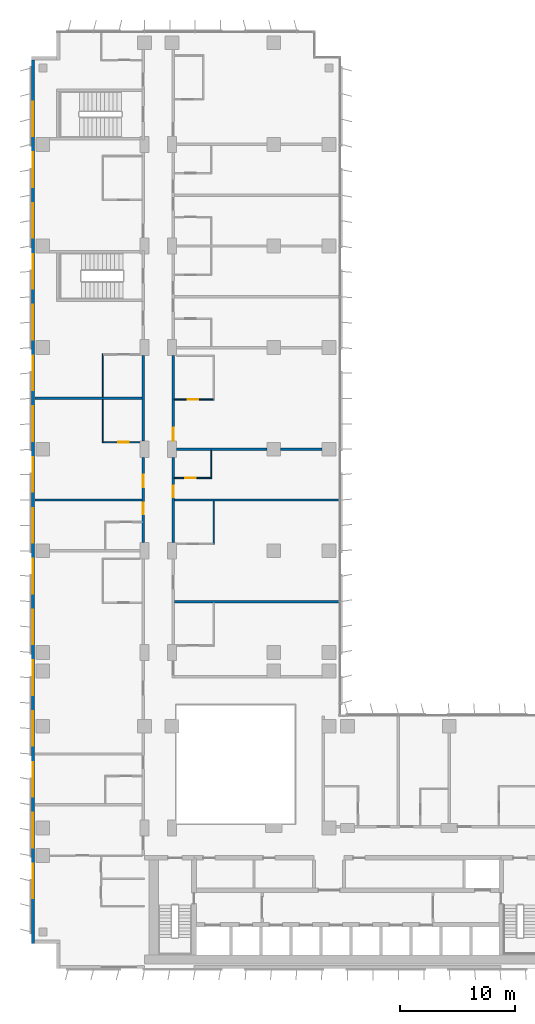
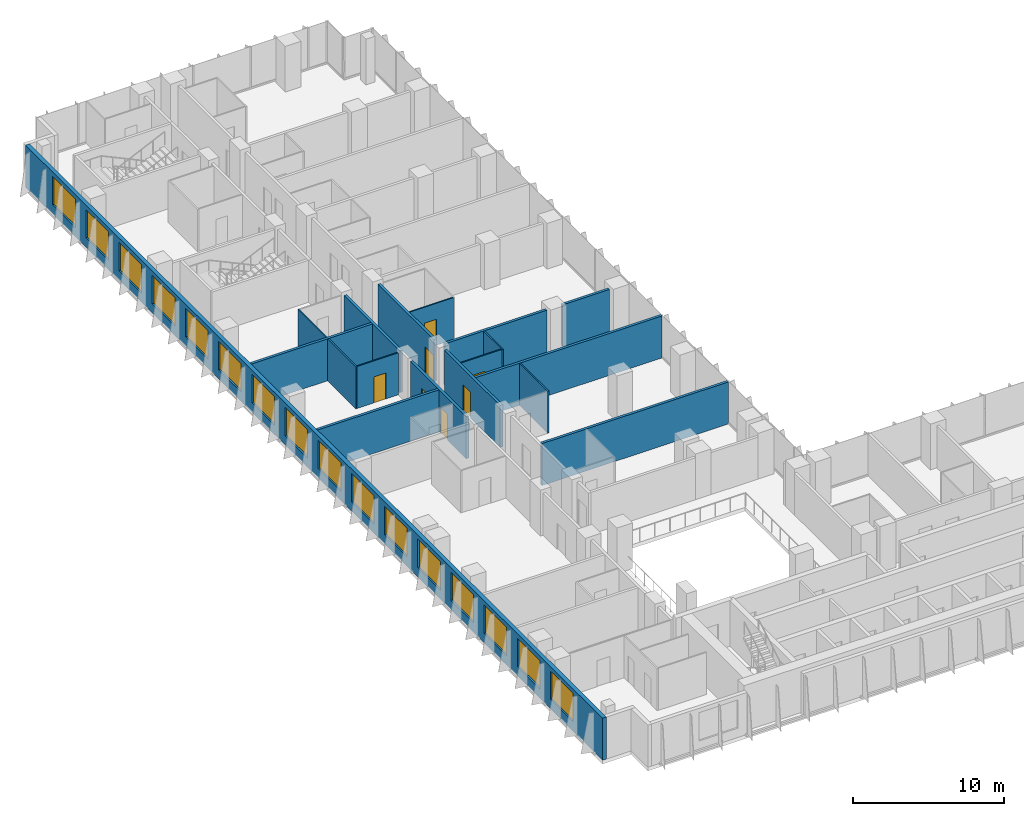
# One storey, part 15 of 22: 18 walls, 16 windows, 7 doors, 23 openings.
"""IFC4 building model written with IfcOpenShell, lengths in metres."""

from ifc_helpers import new_model, si_unit, direction, frame, frame_2d, origin, place, context, subcontext, project, spatial, rectangle, extrude, material, layer, layer_set, type_object, element, fill, save


model = new_model("IFC4")

# Units and contexts
model_context = context("Model", 3, precision=1e-05, world=origin(), true_north=direction((0.0, 1.0)))
body_context = subcontext(model_context, "Body", "Model", "MODEL_VIEW")
ifc_project = project(units=[si_unit("LENGTHUNIT", "METRE"), si_unit("AREAUNIT", "SQUARE_METRE"), si_unit("VOLUMEUNIT", "CUBIC_METRE"), si_unit("PLANEANGLEUNIT", "RADIAN"), si_unit("MASSUNIT", "GRAM", prefix="KILO")], contexts=[model_context])

# Site, building, storey
site_placement = place(None, origin())
site = spatial("IfcSite", under=ifc_project, at=site_placement, CompositionType="ELEMENT")
building_placement = place(site_placement, origin())
building = spatial("IfcBuilding", under=site, at=building_placement, Name="Kemantara Hotel Tower", CompositionType="ELEMENT")
storey_placement = place(building_placement, frame((0.0, 0.0, 90.800048828125)))
storey = spatial("IfcBuildingStorey", under=building, at=storey_placement, Name="L21", CompositionType="ELEMENT", Elevation=90.800048828125)

# Wall, openings, windows
ifc_material_1 = material(Name="Bronze anodised aluminium cladding on insulated steel stud wall", Category="steel")
ifc_layer_1 = layer(ifc_material_1, 0.300048828125)
ifc_layer_set_1 = layer_set([ifc_layer_1], Name="Bronze anodised aluminium cladding on insulated steel stud wall")
wall_type_1 = type_object("IfcWallType", Name="BRONZE METAL-CLAD EXTERNAL WALL 300", PredefinedType="STANDARD", material=ifc_layer_set_1)
wall_1_placement = place(storey_placement, frame((0.14990234375, 78.699951171875, 0.0), z_axis=(0.0, 0.0, 1.0), x_axis=(0.0, -1.0, 0.0)))
wall_1 = element("IfcWall", 1, at=wall_1_placement, inside=storey, type_object=wall_type_1, Name="EXTERNAL WALL L21 T2-R04", PredefinedType="STANDARD", context=body_context, shape_type="SweptSolid", body=[
    extrude(rectangle(XDim=76.5, YDim=0.300048828125, at=frame_2d((38.25, 0.0))), origin(), (0.0, 0.0, 1.0), 3.39990234375),
])
opening_1_placement = place(wall_1_placement, frame((3.60009765625, 0.0, 0.75)))
opening_1 = element("IfcOpeningElement", 2, at=opening_1_placement, cuts=wall_1, Name="Opening W1", PredefinedType="OPENING", context=body_context, shape_type="SweptSolid", body=[
    extrude(rectangle(XDim=3.0, YDim=2.300048828125, at=frame_2d((1.5, 1.14990234375))), frame((0.0, 0.159912109375, 0.0), z_axis=(0.0, -1.0, 0.0), x_axis=(1.0, 0.0, 0.0)), (0.0, 0.0, 1.0), 0.320068359375),
])
opening_2_placement = place(wall_1_placement, frame((8.0, 0.0, 0.75)))
opening_2 = element("IfcOpeningElement", 3, at=opening_2_placement, cuts=wall_1, Name="Opening W1", PredefinedType="OPENING", context=body_context, shape_type="SweptSolid", body=[
    extrude(rectangle(XDim=3.0, YDim=2.300048828125, at=frame_2d((1.5, 1.14990234375))), frame((0.0, 0.159912109375, 0.0), z_axis=(0.0, -1.0, 0.0), x_axis=(1.0, 0.0, 0.0)), (0.0, 0.0, 1.0), 0.320068359375),
])
opening_3_placement = place(wall_1_placement, frame((12.39990234375, 0.0, 0.75)))
opening_3 = element("IfcOpeningElement", 4, at=opening_3_placement, cuts=wall_1, Name="Opening W1", PredefinedType="OPENING", context=body_context, shape_type="SweptSolid", body=[
    extrude(rectangle(XDim=3.0, YDim=2.300048828125, at=frame_2d((1.5, 1.14990234375))), frame((0.0, 0.159912109375, 0.0), z_axis=(0.0, -1.0, 0.0), x_axis=(1.0, 0.0, 0.0)), (0.0, 0.0, 1.0), 0.320068359375),
])
opening_4_placement = place(wall_1_placement, frame((16.800048828125, 0.0, 0.75)))
opening_4 = element("IfcOpeningElement", 5, at=opening_4_placement, cuts=wall_1, Name="Opening W1", PredefinedType="OPENING", context=body_context, shape_type="SweptSolid", body=[
    extrude(rectangle(XDim=3.0, YDim=2.300048828125, at=frame_2d((1.5, 1.14990234375))), frame((0.0, 0.159912109375, 0.0), z_axis=(0.0, -1.0, 0.0), x_axis=(1.0, 0.0, 0.0)), (0.0, 0.0, 1.0), 0.320068359375),
])
opening_5_placement = place(wall_1_placement, frame((21.199951171875, 0.0, 0.75)))
opening_5 = element("IfcOpeningElement", 6, at=opening_5_placement, cuts=wall_1, Name="Opening W1", PredefinedType="OPENING", context=body_context, shape_type="SweptSolid", body=[
    extrude(rectangle(XDim=3.0, YDim=2.300048828125, at=frame_2d((1.5, 1.14990234375))), frame((0.0, 0.159912109375, 0.0), z_axis=(0.0, -1.0, 0.0), x_axis=(1.0, 0.0, 0.0)), (0.0, 0.0, 1.0), 0.320068359375),
])
opening_6_placement = place(wall_1_placement, frame((25.60009765625, 0.0, 0.75)))
opening_6 = element("IfcOpeningElement", 7, at=opening_6_placement, cuts=wall_1, Name="Opening W1", PredefinedType="OPENING", context=body_context, shape_type="SweptSolid", body=[
    extrude(rectangle(XDim=3.0, YDim=2.300048828125, at=frame_2d((1.5, 1.14990234375))), frame((0.0, 0.159912109375, 0.0), z_axis=(0.0, -1.0, 0.0), x_axis=(1.0, 0.0, 0.0)), (0.0, 0.0, 1.0), 0.320068359375),
])
opening_7_placement = place(wall_1_placement, frame((30.0, 0.0, 0.75)))
opening_7 = element("IfcOpeningElement", 8, at=opening_7_placement, cuts=wall_1, Name="Opening W1", PredefinedType="OPENING", context=body_context, shape_type="SweptSolid", body=[
    extrude(rectangle(XDim=3.0, YDim=2.300048828125, at=frame_2d((1.5, 1.14990234375))), frame((0.0, 0.159912109375, 0.0), z_axis=(0.0, -1.0, 0.0), x_axis=(1.0, 0.0, 0.0)), (0.0, 0.0, 1.0), 0.320068359375),
])
opening_8_placement = place(wall_1_placement, frame((34.39990234375, 0.0, 0.75)))
opening_8 = element("IfcOpeningElement", 9, at=opening_8_placement, cuts=wall_1, Name="Opening W1", PredefinedType="OPENING", context=body_context, shape_type="SweptSolid", body=[
    extrude(rectangle(XDim=3.0, YDim=2.300048828125, at=frame_2d((1.5, 1.14990234375))), frame((0.0, 0.159912109375, 0.0), z_axis=(0.0, -1.0, 0.0), x_axis=(1.0, 0.0, 0.0)), (0.0, 0.0, 1.0), 0.320068359375),
])
opening_9_placement = place(wall_1_placement, frame((38.800048828125, 0.0, 0.75)))
opening_9 = element("IfcOpeningElement", 10, at=opening_9_placement, cuts=wall_1, Name="Opening W1", PredefinedType="OPENING", context=body_context, shape_type="SweptSolid", body=[
    extrude(rectangle(XDim=3.0, YDim=2.300048828125, at=frame_2d((1.5, 1.14990234375))), frame((0.0, 0.159912109375, 0.0), z_axis=(0.0, -1.0, 0.0), x_axis=(1.0, 0.0, 0.0)), (0.0, 0.0, 1.0), 0.320068359375),
])
opening_10_placement = place(wall_1_placement, frame((43.199951171875, 0.0, 0.75)))
opening_10 = element("IfcOpeningElement", 11, at=opening_10_placement, cuts=wall_1, Name="Opening W1", PredefinedType="OPENING", context=body_context, shape_type="SweptSolid", body=[
    extrude(rectangle(XDim=3.0, YDim=2.300048828125, at=frame_2d((1.5, 1.14990234375))), frame((0.0, 0.159912109375, 0.0), z_axis=(0.0, -1.0, 0.0), x_axis=(1.0, 0.0, 0.0)), (0.0, 0.0, 1.0), 0.320068359375),
])
opening_11_placement = place(wall_1_placement, frame((47.60009765625, 0.0, 0.75)))
opening_11 = element("IfcOpeningElement", 12, at=opening_11_placement, cuts=wall_1, Name="Opening W1", PredefinedType="OPENING", context=body_context, shape_type="SweptSolid", body=[
    extrude(rectangle(XDim=3.0, YDim=2.300048828125, at=frame_2d((1.5, 1.14990234375))), frame((0.0, 0.159912109375, 0.0), z_axis=(0.0, -1.0, 0.0), x_axis=(1.0, 0.0, 0.0)), (0.0, 0.0, 1.0), 0.320068359375),
])
opening_12_placement = place(wall_1_placement, frame((52.0, 0.0, 0.75)))
opening_12 = element("IfcOpeningElement", 13, at=opening_12_placement, cuts=wall_1, Name="Opening W1", PredefinedType="OPENING", context=body_context, shape_type="SweptSolid", body=[
    extrude(rectangle(XDim=3.0, YDim=2.300048828125, at=frame_2d((1.5, 1.14990234375))), frame((0.0, 0.159912109375, 0.0), z_axis=(0.0, -1.0, 0.0), x_axis=(1.0, 0.0, 0.0)), (0.0, 0.0, 1.0), 0.320068359375),
])
opening_13_placement = place(wall_1_placement, frame((56.39990234375, 0.0, 0.75)))
opening_13 = element("IfcOpeningElement", 14, at=opening_13_placement, cuts=wall_1, Name="Opening W1", PredefinedType="OPENING", context=body_context, shape_type="SweptSolid", body=[
    extrude(rectangle(XDim=3.0, YDim=2.300048828125, at=frame_2d((1.5, 1.14990234375))), frame((0.0, 0.159912109375, 0.0), z_axis=(0.0, -1.0, 0.0), x_axis=(1.0, 0.0, 0.0)), (0.0, 0.0, 1.0), 0.320068359375),
])
opening_14_placement = place(wall_1_placement, frame((60.800048828125, 0.0, 0.75)))
opening_14 = element("IfcOpeningElement", 15, at=opening_14_placement, cuts=wall_1, Name="Opening W1", PredefinedType="OPENING", context=body_context, shape_type="SweptSolid", body=[
    extrude(rectangle(XDim=3.0, YDim=2.300048828125, at=frame_2d((1.5, 1.14990234375))), frame((0.0, 0.159912109375, 0.0), z_axis=(0.0, -1.0, 0.0), x_axis=(1.0, 0.0, 0.0)), (0.0, 0.0, 1.0), 0.320068359375),
])
opening_15_placement = place(wall_1_placement, frame((65.199951171875, 0.0, 0.75)))
opening_15 = element("IfcOpeningElement", 16, at=opening_15_placement, cuts=wall_1, Name="Opening W1", PredefinedType="OPENING", context=body_context, shape_type="SweptSolid", body=[
    extrude(rectangle(XDim=3.0, YDim=2.300048828125, at=frame_2d((1.5, 1.14990234375))), frame((0.0, 0.159912109375, 0.0), z_axis=(0.0, -1.0, 0.0), x_axis=(1.0, 0.0, 0.0)), (0.0, 0.0, 1.0), 0.320068359375),
])
opening_16_placement = place(wall_1_placement, frame((69.60009765625, 0.0, 0.75)))
opening_16 = element("IfcOpeningElement", 17, at=opening_16_placement, cuts=wall_1, Name="Opening W1", PredefinedType="OPENING", context=body_context, shape_type="SweptSolid", body=[
    extrude(rectangle(XDim=3.0, YDim=2.300048828125, at=frame_2d((1.5, 1.14990234375))), frame((0.0, 0.159912109375, 0.0), z_axis=(0.0, -1.0, 0.0), x_axis=(1.0, 0.0, 0.0)), (0.0, 0.0, 1.0), 0.320068359375),
])
ifc_material_2 = material(Name="Low-E tinted double insulated glass in bronze anodised aluminium frame", Category="aluminium")
window_type = type_object("IfcWindowType", Name="CHICAGO WINDOW, TRIPLE PANEL 3000x2300", PartitioningType="TRIPLE_PANEL_VERTICAL", PredefinedType="WINDOW", material=ifc_material_2)
window_1_placement = place(opening_1_placement, origin())
window_1 = element("IfcWindow", 18, at=window_1_placement, inside=storey, type_object=window_type, Name="CHICAGO WINDOW L21 T2-R04-54", OverallHeight=2.300048828125, OverallWidth=3.0, PartitioningType="SINGLE_PANEL", PredefinedType="WINDOW", context=body_context, shape_type="SweptSolid", body=[
    extrude(rectangle(XDim=3.0, YDim=2.300048828125, at=frame_2d((1.5, 1.14990234375))), frame((0.0, 0.030029296875, 0.0), z_axis=(0.0, -1.0, 0.0), x_axis=(1.0, 0.0, 0.0)), (0.0, 0.0, 1.0), 0.06005859375),
])
fill(opening_1, window_1)
window_2_placement = place(opening_2_placement, origin())
window_2 = element("IfcWindow", 19, at=window_2_placement, inside=storey, type_object=window_type, Name="CHICAGO WINDOW L21 T2-R04-98", OverallHeight=2.300048828125, OverallWidth=3.0, PartitioningType="SINGLE_PANEL", PredefinedType="WINDOW", context=body_context, shape_type="SweptSolid", body=[
    extrude(rectangle(XDim=3.0, YDim=2.300048828125, at=frame_2d((1.5, 1.14990234375))), frame((0.0, 0.030029296875, 0.0), z_axis=(0.0, -1.0, 0.0), x_axis=(1.0, 0.0, 0.0)), (0.0, 0.0, 1.0), 0.06005859375),
])
fill(opening_2, window_2)
window_3_placement = place(opening_3_placement, origin())
window_3 = element("IfcWindow", 20, at=window_3_placement, inside=storey, type_object=window_type, Name="CHICAGO WINDOW L21 T2-R04-142", OverallHeight=2.300048828125, OverallWidth=3.0, PartitioningType="SINGLE_PANEL", PredefinedType="WINDOW", context=body_context, shape_type="SweptSolid", body=[
    extrude(rectangle(XDim=3.0, YDim=2.300048828125, at=frame_2d((1.5, 1.14990234375))), frame((0.0, 0.030029296875, 0.0), z_axis=(0.0, -1.0, 0.0), x_axis=(1.0, 0.0, 0.0)), (0.0, 0.0, 1.0), 0.06005859375),
])
fill(opening_3, window_3)
window_4_placement = place(opening_4_placement, origin())
window_4 = element("IfcWindow", 21, at=window_4_placement, inside=storey, type_object=window_type, Name="CHICAGO WINDOW L21 T2-R04-186", OverallHeight=2.300048828125, OverallWidth=3.0, PartitioningType="SINGLE_PANEL", PredefinedType="WINDOW", context=body_context, shape_type="SweptSolid", body=[
    extrude(rectangle(XDim=3.0, YDim=2.300048828125, at=frame_2d((1.5, 1.14990234375))), frame((0.0, 0.030029296875, 0.0), z_axis=(0.0, -1.0, 0.0), x_axis=(1.0, 0.0, 0.0)), (0.0, 0.0, 1.0), 0.06005859375),
])
fill(opening_4, window_4)
window_5_placement = place(opening_5_placement, origin())
window_5 = element("IfcWindow", 22, at=window_5_placement, inside=storey, type_object=window_type, Name="CHICAGO WINDOW L21 T2-R04-230", OverallHeight=2.300048828125, OverallWidth=3.0, PartitioningType="SINGLE_PANEL", PredefinedType="WINDOW", context=body_context, shape_type="SweptSolid", body=[
    extrude(rectangle(XDim=3.0, YDim=2.300048828125, at=frame_2d((1.5, 1.14990234375))), frame((0.0, 0.030029296875, 0.0), z_axis=(0.0, -1.0, 0.0), x_axis=(1.0, 0.0, 0.0)), (0.0, 0.0, 1.0), 0.06005859375),
])
fill(opening_5, window_5)
window_6_placement = place(opening_6_placement, origin())
window_6 = element("IfcWindow", 23, at=window_6_placement, inside=storey, type_object=window_type, Name="CHICAGO WINDOW L21 T2-R04-274", OverallHeight=2.300048828125, OverallWidth=3.0, PartitioningType="SINGLE_PANEL", PredefinedType="WINDOW", context=body_context, shape_type="SweptSolid", body=[
    extrude(rectangle(XDim=3.0, YDim=2.300048828125, at=frame_2d((1.5, 1.14990234375))), frame((0.0, 0.030029296875, 0.0), z_axis=(0.0, -1.0, 0.0), x_axis=(1.0, 0.0, 0.0)), (0.0, 0.0, 1.0), 0.06005859375),
])
fill(opening_6, window_6)
window_7_placement = place(opening_7_placement, origin())
window_7 = element("IfcWindow", 24, at=window_7_placement, inside=storey, type_object=window_type, Name="CHICAGO WINDOW L21 T2-R04-318", OverallHeight=2.300048828125, OverallWidth=3.0, PartitioningType="SINGLE_PANEL", PredefinedType="WINDOW", context=body_context, shape_type="SweptSolid", body=[
    extrude(rectangle(XDim=3.0, YDim=2.300048828125, at=frame_2d((1.5, 1.14990234375))), frame((0.0, 0.030029296875, 0.0), z_axis=(0.0, -1.0, 0.0), x_axis=(1.0, 0.0, 0.0)), (0.0, 0.0, 1.0), 0.06005859375),
])
fill(opening_7, window_7)
window_8_placement = place(opening_8_placement, origin())
window_8 = element("IfcWindow", 25, at=window_8_placement, inside=storey, type_object=window_type, Name="CHICAGO WINDOW L21 T2-R04-362", OverallHeight=2.300048828125, OverallWidth=3.0, PartitioningType="SINGLE_PANEL", PredefinedType="WINDOW", context=body_context, shape_type="SweptSolid", body=[
    extrude(rectangle(XDim=3.0, YDim=2.300048828125, at=frame_2d((1.5, 1.14990234375))), frame((0.0, 0.030029296875, 0.0), z_axis=(0.0, -1.0, 0.0), x_axis=(1.0, 0.0, 0.0)), (0.0, 0.0, 1.0), 0.06005859375),
])
fill(opening_8, window_8)
window_9_placement = place(opening_9_placement, origin())
window_9 = element("IfcWindow", 26, at=window_9_placement, inside=storey, type_object=window_type, Name="CHICAGO WINDOW L21 T2-R04-406", OverallHeight=2.300048828125, OverallWidth=3.0, PartitioningType="SINGLE_PANEL", PredefinedType="WINDOW", context=body_context, shape_type="SweptSolid", body=[
    extrude(rectangle(XDim=3.0, YDim=2.300048828125, at=frame_2d((1.5, 1.14990234375))), frame((0.0, 0.030029296875, 0.0), z_axis=(0.0, -1.0, 0.0), x_axis=(1.0, 0.0, 0.0)), (0.0, 0.0, 1.0), 0.06005859375),
])
fill(opening_9, window_9)
window_10_placement = place(opening_10_placement, origin())
window_10 = element("IfcWindow", 27, at=window_10_placement, inside=storey, type_object=window_type, Name="CHICAGO WINDOW L21 T2-R04-450", OverallHeight=2.300048828125, OverallWidth=3.0, PartitioningType="SINGLE_PANEL", PredefinedType="WINDOW", context=body_context, shape_type="SweptSolid", body=[
    extrude(rectangle(XDim=3.0, YDim=2.300048828125, at=frame_2d((1.5, 1.14990234375))), frame((0.0, 0.030029296875, 0.0), z_axis=(0.0, -1.0, 0.0), x_axis=(1.0, 0.0, 0.0)), (0.0, 0.0, 1.0), 0.06005859375),
])
fill(opening_10, window_10)
window_11_placement = place(opening_11_placement, origin())
window_11 = element("IfcWindow", 28, at=window_11_placement, inside=storey, type_object=window_type, Name="CHICAGO WINDOW L21 T2-R04-494", OverallHeight=2.300048828125, OverallWidth=3.0, PartitioningType="SINGLE_PANEL", PredefinedType="WINDOW", context=body_context, shape_type="SweptSolid", body=[
    extrude(rectangle(XDim=3.0, YDim=2.300048828125, at=frame_2d((1.5, 1.14990234375))), frame((0.0, 0.030029296875, 0.0), z_axis=(0.0, -1.0, 0.0), x_axis=(1.0, 0.0, 0.0)), (0.0, 0.0, 1.0), 0.06005859375),
])
fill(opening_11, window_11)
window_12_placement = place(opening_12_placement, origin())
window_12 = element("IfcWindow", 29, at=window_12_placement, inside=storey, type_object=window_type, Name="CHICAGO WINDOW L21 T2-R04-538", OverallHeight=2.300048828125, OverallWidth=3.0, PartitioningType="SINGLE_PANEL", PredefinedType="WINDOW", context=body_context, shape_type="SweptSolid", body=[
    extrude(rectangle(XDim=3.0, YDim=2.300048828125, at=frame_2d((1.5, 1.14990234375))), frame((0.0, 0.030029296875, 0.0), z_axis=(0.0, -1.0, 0.0), x_axis=(1.0, 0.0, 0.0)), (0.0, 0.0, 1.0), 0.06005859375),
])
fill(opening_12, window_12)
window_13_placement = place(opening_13_placement, origin())
window_13 = element("IfcWindow", 30, at=window_13_placement, inside=storey, type_object=window_type, Name="CHICAGO WINDOW L21 T2-R04-582", OverallHeight=2.300048828125, OverallWidth=3.0, PartitioningType="SINGLE_PANEL", PredefinedType="WINDOW", context=body_context, shape_type="SweptSolid", body=[
    extrude(rectangle(XDim=3.0, YDim=2.300048828125, at=frame_2d((1.5, 1.14990234375))), frame((0.0, 0.030029296875, 0.0), z_axis=(0.0, -1.0, 0.0), x_axis=(1.0, 0.0, 0.0)), (0.0, 0.0, 1.0), 0.06005859375),
])
fill(opening_13, window_13)
window_14_placement = place(opening_14_placement, origin())
window_14 = element("IfcWindow", 31, at=window_14_placement, inside=storey, type_object=window_type, Name="CHICAGO WINDOW L21 T2-R04-626", OverallHeight=2.300048828125, OverallWidth=3.0, PartitioningType="SINGLE_PANEL", PredefinedType="WINDOW", context=body_context, shape_type="SweptSolid", body=[
    extrude(rectangle(XDim=3.0, YDim=2.300048828125, at=frame_2d((1.5, 1.14990234375))), frame((0.0, 0.030029296875, 0.0), z_axis=(0.0, -1.0, 0.0), x_axis=(1.0, 0.0, 0.0)), (0.0, 0.0, 1.0), 0.06005859375),
])
fill(opening_14, window_14)
window_15_placement = place(opening_15_placement, origin())
window_15 = element("IfcWindow", 32, at=window_15_placement, inside=storey, type_object=window_type, Name="CHICAGO WINDOW L21 T2-R04-670", OverallHeight=2.300048828125, OverallWidth=3.0, PartitioningType="SINGLE_PANEL", PredefinedType="WINDOW", context=body_context, shape_type="SweptSolid", body=[
    extrude(rectangle(XDim=3.0, YDim=2.300048828125, at=frame_2d((1.5, 1.14990234375))), frame((0.0, 0.030029296875, 0.0), z_axis=(0.0, -1.0, 0.0), x_axis=(1.0, 0.0, 0.0)), (0.0, 0.0, 1.0), 0.06005859375),
])
fill(opening_15, window_15)
window_16_placement = place(opening_16_placement, origin())
window_16 = element("IfcWindow", 33, at=window_16_placement, inside=storey, type_object=window_type, Name="CHICAGO WINDOW L21 T2-R04-714", OverallHeight=2.300048828125, OverallWidth=3.0, PartitioningType="SINGLE_PANEL", PredefinedType="WINDOW", context=body_context, shape_type="SweptSolid", body=[
    extrude(rectangle(XDim=3.0, YDim=2.300048828125, at=frame_2d((1.5, 1.14990234375))), frame((0.0, 0.030029296875, 0.0), z_axis=(0.0, -1.0, 0.0), x_axis=(1.0, 0.0, 0.0)), (0.0, 0.0, 1.0), 0.06005859375),
])
fill(opening_16, window_16)

# Wall, openings, doors
ifc_material_3 = material(Name="Gypsum board partition, steel studs and mineral wool, 200 mm", Category="steel")
ifc_layer_2 = layer(ifc_material_3, 0.199951171875)
ifc_layer_set_2 = layer_set([ifc_layer_2], Name="Gypsum board partition, steel studs and mineral wool, 200 mm")
wall_type_2 = type_object("IfcWallType", Name="CORRIDOR WALL 200", PredefinedType="PARTITIONING", material=ifc_layer_set_2)
wall_2_placement = place(storey_placement, frame((9.699951171875, 36.900146484375, 0.0), z_axis=(0.0, 0.0, 1.0), x_axis=(0.0, 1.0, 0.0)))
wall_2 = element("IfcWall", 34, at=wall_2_placement, inside=storey, type_object=wall_type_2, Name="CORRIDOR WALL 200 019", PredefinedType="PARTITIONING", context=body_context, shape_type="SweptSolid", body=[
    extrude(rectangle(XDim=7.399658203125, YDim=0.199951171875, at=frame_2d((3.69970703125, 0.0))), origin(), (0.0, 0.0, 1.0), 3.39990234375),
])
opening_17_placement = place(wall_2_placement, frame((2.449951171875, 0.0, 0.0)))
opening_17 = element("IfcOpeningElement", 35, at=opening_17_placement, cuts=wall_2, Name="Opening F08-023", PredefinedType="OPENING", context=body_context, shape_type="SweptSolid", body=[
    extrude(rectangle(XDim=1.0, YDim=2.10009765625, at=frame_2d((0.5, 1.050048828125))), frame((0.0, 0.10986328125, 0.0), z_axis=(0.0, -1.0, 0.0), x_axis=(1.0, 0.0, 0.0)), (0.0, 0.0, 1.0), 0.219970703125),
])
opening_18_placement = place(wall_2_placement, frame((4.7998046875, 0.0, 0.0)))
opening_18 = element("IfcOpeningElement", 36, at=opening_18_placement, cuts=wall_2, Name="Opening F08-025", PredefinedType="OPENING", context=body_context, shape_type="SweptSolid", body=[
    extrude(rectangle(XDim=1.10009765625, YDim=2.10009765625, at=frame_2d((0.550048828125, 1.050048828125))), frame((0.0, 0.10986328125, 0.0), z_axis=(0.0, -1.0, 0.0), x_axis=(1.0, 0.0, 0.0)), (0.0, 0.0, 1.0), 0.219970703125),
])
ifc_material_4 = material(Name="Hardwood veneer door leaf with steel frame", Category="steel")
door_type_1 = type_object("IfcDoorType", Name="GUEST ROOM DOOR 1000 X 2100 FD30S", OperationType="NOTDEFINED", PredefinedType="DOOR", material=ifc_material_4)
door_1_placement = place(opening_17_placement, origin())
door_1 = element("IfcDoor", 37, at=door_1_placement, inside=storey, type_object=door_type_1, Name="GUEST ROOM DOOR F08-023", OperationType="SINGLE_SWING_RIGHT", OverallHeight=2.10009765625, OverallWidth=1.0, PredefinedType="DOOR", context=body_context, shape_type="SweptSolid", body=[
    extrude(rectangle(XDim=1.0, YDim=2.10009765625, at=frame_2d((0.5, 1.050048828125))), frame((0.0, 0.02490234375, 0.0), z_axis=(0.0, -1.0, 0.0), x_axis=(1.0, 0.0, 0.0)), (0.0, 0.0, 1.0), 0.050048828125),
])
fill(opening_17, door_1)
door_type_2 = type_object("IfcDoorType", Name="SUITE ENTRANCE DOOR 1100 X 2100 FD30S", OperationType="NOTDEFINED", PredefinedType="DOOR", material=ifc_material_4)
door_2_placement = place(opening_18_placement, origin())
door_2 = element("IfcDoor", 38, at=door_2_placement, inside=storey, type_object=door_type_2, Name="SUITE ENTRANCE DOOR F08-025", OperationType="SINGLE_SWING_LEFT", OverallHeight=2.10009765625, OverallWidth=1.10009765625, PredefinedType="DOOR", context=body_context, shape_type="SweptSolid", body=[
    extrude(rectangle(XDim=1.10009765625, YDim=2.10009765625, at=frame_2d((0.550048828125, 1.050048828125))), frame((0.0, 0.02490234375, 0.0), z_axis=(0.0, -1.0, 0.0), x_axis=(1.0, 0.0, 0.0)), (0.0, 0.0, 1.0), 0.050048828125),
])
fill(opening_18, door_2)

# Wall
wall_3_placement = place(storey_placement, frame((9.699951171875, 45.7001953125, 0.0), z_axis=(0.0, 0.0, 1.0), x_axis=(0.0, 1.0, 0.0)))
element("IfcWall", 39, at=wall_3_placement, inside=storey, type_object=wall_type_2, Name="CORRIDOR WALL 200 020", PredefinedType="PARTITIONING", context=body_context, shape_type="SweptSolid", body=[
    extrude(rectangle(XDim=7.399658203125, YDim=0.199951171875, at=frame_2d((3.69970703125, 0.0))), origin(), (0.0, 0.0, 1.0), 3.39990234375),
])

# Wall, opening, door
wall_4_placement = place(storey_placement, frame((12.300048828125, 44.2998046875, 0.0), z_axis=(0.0, 0.0, 1.0), x_axis=(0.0, -1.0, 0.0)))
wall_4 = element("IfcWall", 40, at=wall_4_placement, inside=storey, type_object=wall_type_2, Name="CORRIDOR WALL 200 032", PredefinedType="PARTITIONING", context=body_context, shape_type="SweptSolid", body=[
    extrude(rectangle(XDim=7.399658203125, YDim=0.199951171875, at=frame_2d((3.69970703125, 0.0))), origin(), (0.0, 0.0, 1.0), 3.39990234375),
])
opening_19_placement = place(wall_4_placement, frame((2.449951171875, 0.0, 0.0)))
opening_19 = element("IfcOpeningElement", 41, at=opening_19_placement, cuts=wall_4, Name="Opening F08-037", PredefinedType="OPENING", context=body_context, shape_type="SweptSolid", body=[
    extrude(rectangle(XDim=1.0, YDim=2.10009765625, at=frame_2d((0.5, 1.050048828125))), frame((0.0, 0.10986328125, 0.0), z_axis=(0.0, -1.0, 0.0), x_axis=(1.0, 0.0, 0.0)), (0.0, 0.0, 1.0), 0.219970703125),
])
door_3_placement = place(opening_19_placement, origin())
door_3 = element("IfcDoor", 42, at=door_3_placement, inside=storey, type_object=door_type_1, Name="GUEST ROOM DOOR F08-037", OperationType="SINGLE_SWING_RIGHT", OverallHeight=2.10009765625, OverallWidth=1.0, PredefinedType="DOOR", context=body_context, shape_type="SweptSolid", body=[
    extrude(rectangle(XDim=1.0, YDim=2.10009765625, at=frame_2d((0.5, 1.050048828125))), frame((0.0, 0.02490234375, 0.0), z_axis=(0.0, -1.0, 0.0), x_axis=(1.0, 0.0, 0.0)), (0.0, 0.0, 1.0), 0.050048828125),
])
fill(opening_19, door_3)

wall_5_placement = place(storey_placement, frame((12.300048828125, 53.099853515625, 0.0), z_axis=(0.0, 0.0, 1.0), x_axis=(0.0, -1.0, 0.0)))
wall_5 = element("IfcWall", 43, at=wall_5_placement, inside=storey, type_object=wall_type_2, Name="CORRIDOR WALL 200 033", PredefinedType="PARTITIONING", context=body_context, shape_type="SweptSolid", body=[
    extrude(rectangle(XDim=7.399658203125, YDim=0.199951171875, at=frame_2d((3.69970703125, 0.0))), origin(), (0.0, 0.0, 1.0), 3.39990234375),
])
opening_20_placement = place(wall_5_placement, frame((6.25, 0.0, 0.0)))
opening_20 = element("IfcOpeningElement", 44, at=opening_20_placement, cuts=wall_5, Name="Opening F08-039", PredefinedType="OPENING", context=body_context, shape_type="SweptSolid", body=[
    extrude(rectangle(XDim=1.10009765625, YDim=2.10009765625, at=frame_2d((0.550048828125, 1.050048828125))), frame((0.0, 0.10986328125, 0.0), z_axis=(0.0, -1.0, 0.0), x_axis=(1.0, 0.0, 0.0)), (0.0, 0.0, 1.0), 0.219970703125),
])
door_4_placement = place(opening_20_placement, origin())
door_4 = element("IfcDoor", 45, at=door_4_placement, inside=storey, type_object=door_type_2, Name="SUITE ENTRANCE DOOR F08-039", OperationType="SINGLE_SWING_RIGHT", OverallHeight=2.10009765625, OverallWidth=1.10009765625, PredefinedType="DOOR", context=body_context, shape_type="SweptSolid", body=[
    extrude(rectangle(XDim=1.10009765625, YDim=2.10009765625, at=frame_2d((0.550048828125, 1.050048828125))), frame((0.0, 0.02490234375, 0.0), z_axis=(0.0, -1.0, 0.0), x_axis=(1.0, 0.0, 0.0)), (0.0, 0.0, 1.0), 0.050048828125),
])
fill(opening_20, door_4)

# Walls
ifc_layer_3 = layer(ifc_material_3, 0.199951171875)
ifc_layer_set_3 = layer_set([ifc_layer_3], Name="Gypsum board partition, steel studs and mineral wool, 200 mm")
wall_type_3 = type_object("IfcWallType", Name="GUEST ROOM PARTY WALL 200", PredefinedType="PARTITIONING", material=ifc_layer_set_3)
wall_6_placement = place(storey_placement, frame((0.31005859375, 40.60009765625, 0.0), z_axis=(0.0, 0.0, 1.0), x_axis=(1.0, 0.0, 0.0)))
element("IfcWall", 46, at=wall_6_placement, inside=storey, type_object=wall_type_3, Name="GUEST ROOM PARTY WALL 200 027", PredefinedType="PARTITIONING", context=body_context, shape_type="SweptSolid", body=[
    extrude(rectangle(XDim=9.2900390625, YDim=0.199951171875, at=frame_2d((4.64501953125, 0.0))), origin(), (0.0, 0.0, 1.0), 3.39990234375),
])
wall_7_placement = place(storey_placement, frame((12.39990234375, 40.60009765625, 0.0), z_axis=(0.0, 0.0, 1.0), x_axis=(1.0, 0.0, 0.0)))
element("IfcWall", 47, at=wall_7_placement, inside=storey, type_object=wall_type_3, Name="GUEST ROOM PARTY WALL 200 028", PredefinedType="PARTITIONING", context=body_context, shape_type="SweptSolid", body=[
    extrude(rectangle(XDim=14.27001953125, YDim=0.199951171875, at=frame_2d((7.135009765625, 0.0))), origin(), (0.0, 0.0, 1.0), 3.39990234375),
])
wall_8_placement = place(storey_placement, frame((0.31005859375, 49.39990234375, 0.0), z_axis=(0.0, 0.0, 1.0), x_axis=(1.0, 0.0, 0.0)))
element("IfcWall", 48, at=wall_8_placement, inside=storey, type_object=wall_type_3, Name="GUEST ROOM PARTY WALL 200 029", PredefinedType="PARTITIONING", context=body_context, shape_type="SweptSolid", body=[
    extrude(rectangle(XDim=9.2900390625, YDim=0.199951171875, at=frame_2d((4.64501953125, 0.0))), origin(), (0.0, 0.0, 1.0), 3.39990234375),
])
wall_9_placement = place(storey_placement, frame((12.39990234375, 31.800048828125, 0.0), z_axis=(0.0, 0.0, 1.0), x_axis=(1.0, 0.0, 0.0)))
element("IfcWall", 49, at=wall_9_placement, inside=storey, type_object=wall_type_3, Name="GUEST ROOM PARTY WALL 200 039", PredefinedType="PARTITIONING", context=body_context, shape_type="SweptSolid", body=[
    extrude(rectangle(XDim=14.27001953125, YDim=0.199951171875, at=frame_2d((7.135009765625, 0.0))), origin(), (0.0, 0.0, 1.0), 3.39990234375),
])
wall_10_placement = place(storey_placement, frame((12.60009765625, 45.0, 0.0), z_axis=(0.0, 0.0, 1.0), x_axis=(1.0, 0.0, 0.0)))
element("IfcWall", 50, at=wall_10_placement, inside=storey, type_object=wall_type_3, Name="GUEST ROOM PARTY WALL 200 040", PredefinedType="PARTITIONING", context=body_context, shape_type="SweptSolid", body=[
    extrude(rectangle(XDim=7.7998046875, YDim=0.199951171875, at=frame_2d((3.89990234375, 0.0))), origin(), (0.0, 0.0, 1.0), 3.39990234375),
])
wall_11_placement = place(storey_placement, frame((21.60009765625, 45.0, 0.0), z_axis=(0.0, 0.0, 1.0), x_axis=(1.0, 0.0, 0.0)))
element("IfcWall", 51, at=wall_11_placement, inside=storey, type_object=wall_type_3, Name="GUEST ROOM PARTY WALL 200 041", PredefinedType="PARTITIONING", context=body_context, shape_type="SweptSolid", body=[
    extrude(rectangle(XDim=3.599853515625, YDim=0.199951171875, at=frame_2d((1.7998046875, 0.0))), origin(), (0.0, 0.0, 1.0), 3.39990234375),
])
ifc_material_5 = material(Name="Gypsum board partition on steel studs, 100 mm", Category="steel")
ifc_layer_4 = layer(ifc_material_5, 0.10009765625)
ifc_layer_set_4 = layer_set([ifc_layer_4], Name="Gypsum board partition on steel studs, 100 mm")
wall_type_4 = type_object("IfcWallType", Name="ROOM PARTITION 100", PredefinedType="PARTITIONING", material=ifc_layer_set_4)
for number, where, z_axis, x_axis, name in (
    (52, (6.199951171875, 45.550048828125, 0.0), (0.0, 0.0, 1.0), (0.0, 1.0, 0.0), "ROOM PARTITION 100 074"),
    (53, (6.199951171875, 49.5, 0.0), (0.0, 0.0, 1.0), (0.0, 1.0, 0.0), "ROOM PARTITION 100 075"),
):
    element("IfcWall", number, at=place(storey_placement, frame(where, z_axis=z_axis, x_axis=x_axis)), inside=storey, type_object=wall_type_4, Name=name, PredefinedType="PARTITIONING", context=body_context, shape_type="SweptSolid", body=[
        extrude(rectangle(XDim=3.75, YDim=0.10009765625, at=frame_2d((1.875, 0.0))), origin(), (0.0, 0.0, 1.0), 3.39990234375),
    ])

# Wall, opening, door
wall_12_placement = place(storey_placement, frame((6.25, 45.60009765625, 0.0), z_axis=(0.0, 0.0, 1.0), x_axis=(1.0, 0.0, 0.0)))
wall_12 = element("IfcWall", 54, at=wall_12_placement, inside=storey, type_object=wall_type_4, Name="ROOM PARTITION 100 080", PredefinedType="PARTITIONING", context=body_context, shape_type="SweptSolid", body=[
    extrude(rectangle(XDim=3.14990234375, YDim=0.10009765625, at=frame_2d((1.574951171875, 0.0))), origin(), (0.0, 0.0, 1.0), 3.39990234375),
])
opening_21_placement = place(wall_12_placement, frame((1.300048828125, 0.0, 0.0)))
opening_21 = element("IfcOpeningElement", 55, at=opening_21_placement, cuts=wall_12, Name="Opening F08-026", PredefinedType="OPENING", context=body_context, shape_type="SweptSolid", body=[
    extrude(rectangle(XDim=0.89990234375, YDim=2.10009765625, at=frame_2d((0.449951171875, 1.050048828125))), frame((0.0, 0.06005859375, 0.0), z_axis=(0.0, -1.0, 0.0), x_axis=(1.0, 0.0, 0.0)), (0.0, 0.0, 1.0), 0.1201171875),
])
door_type_3 = type_object("IfcDoorType", Name="BATHROOM DOOR 900 X 2100", OperationType="NOTDEFINED", PredefinedType="DOOR", material=ifc_material_4)
door_5_placement = place(opening_21_placement, origin())
door_5 = element("IfcDoor", 56, at=door_5_placement, inside=storey, type_object=door_type_3, Name="BATHROOM DOOR F08-026", OperationType="SINGLE_SWING_RIGHT", OverallHeight=2.10009765625, OverallWidth=0.89990234375, PredefinedType="DOOR", context=body_context, shape_type="SweptSolid", body=[
    extrude(rectangle(XDim=0.89990234375, YDim=2.10009765625, at=frame_2d((0.449951171875, 1.050048828125))), frame((0.0, 0.02490234375, 0.0), z_axis=(0.0, -1.0, 0.0), x_axis=(1.0, 0.0, 0.0)), (0.0, 0.0, 1.0), 0.050048828125),
])
fill(opening_21, door_5)

# Walls
wall_13_placement = place(storey_placement, frame((15.800048828125, 36.75, 0.0), z_axis=(0.0, 0.0, 1.0), x_axis=(0.0, 1.0, 0.0)))
element("IfcWall", 57, at=wall_13_placement, inside=storey, type_object=wall_type_4, Name="ROOM PARTITION 100 086", PredefinedType="PARTITIONING", context=body_context, shape_type="SweptSolid", body=[
    extrude(rectangle(XDim=3.75, YDim=0.10009765625, at=frame_2d((1.875, 0.0))), origin(), (0.0, 0.0, 1.0), 3.39990234375),
])
wall_14_placement = place(storey_placement, frame((15.60009765625, 42.449951171875, 0.0), z_axis=(0.0, 0.0, 1.0), x_axis=(0.0, 1.0, 0.0)))
element("IfcWall", 58, at=wall_14_placement, inside=storey, type_object=wall_type_4, Name="ROOM PARTITION 100 090", PredefinedType="PARTITIONING", context=body_context, shape_type="SweptSolid", body=[
    extrude(rectangle(XDim=2.449951171875, YDim=0.10009765625, at=frame_2d((1.22509765625, 0.0))), origin(), (0.0, 0.0, 1.0), 3.39990234375),
])

# Wall, opening, door
wall_15_placement = place(storey_placement, frame((12.39990234375, 42.5, 0.0), z_axis=(0.0, 0.0, 1.0), x_axis=(1.0, 0.0, 0.0)))
wall_15 = element("IfcWall", 59, at=wall_15_placement, inside=storey, type_object=wall_type_4, Name="ROOM PARTITION 100 095", PredefinedType="PARTITIONING", context=body_context, shape_type="SweptSolid", body=[
    extrude(rectangle(XDim=3.150146484375, YDim=0.10009765625, at=frame_2d((1.5751953125, 0.0))), origin(), (0.0, 0.0, 1.0), 3.39990234375),
])
opening_22_placement = place(wall_15_placement, frame((0.949951171875, 0.0, 0.0)))
opening_22 = element("IfcOpeningElement", 60, at=opening_22_placement, cuts=wall_15, Name="Opening F08-038", PredefinedType="OPENING", context=body_context, shape_type="SweptSolid", body=[
    extrude(rectangle(XDim=0.89990234375, YDim=2.10009765625, at=frame_2d((0.449951171875, 1.050048828125))), frame((0.0, 0.06005859375, 0.0), z_axis=(0.0, -1.0, 0.0), x_axis=(1.0, 0.0, 0.0)), (0.0, 0.0, 1.0), 0.1201171875),
])
door_6_placement = place(opening_22_placement, origin())
door_6 = element("IfcDoor", 61, at=door_6_placement, inside=storey, type_object=door_type_3, Name="BATHROOM DOOR F08-038", OperationType="SINGLE_SWING_LEFT", OverallHeight=2.10009765625, OverallWidth=0.89990234375, PredefinedType="DOOR", context=body_context, shape_type="SweptSolid", body=[
    extrude(rectangle(XDim=0.89990234375, YDim=2.10009765625, at=frame_2d((0.449951171875, 1.050048828125))), frame((0.0, 0.02490234375, 0.0), z_axis=(0.0, -1.0, 0.0), x_axis=(1.0, 0.0, 0.0)), (0.0, 0.0, 1.0), 0.050048828125),
])
fill(opening_22, door_6)

wall_16_placement = place(storey_placement, frame((12.39990234375, 49.300048828125, 0.0), z_axis=(0.0, 0.0, 1.0), x_axis=(1.0, 0.0, 0.0)))
wall_16 = element("IfcWall", 62, at=wall_16_placement, inside=storey, type_object=wall_type_4, Name="ROOM PARTITION 100 096", PredefinedType="PARTITIONING", context=body_context, shape_type="SweptSolid", body=[
    extrude(rectangle(XDim=3.35009765625, YDim=0.10009765625, at=frame_2d((1.675048828125, 0.0))), origin(), (0.0, 0.0, 1.0), 3.39990234375),
])
opening_23_placement = place(wall_16_placement, frame((1.14990234375, 0.0, 0.0)))
opening_23 = element("IfcOpeningElement", 63, at=opening_23_placement, cuts=wall_16, Name="Opening F08-040", PredefinedType="OPENING", context=body_context, shape_type="SweptSolid", body=[
    extrude(rectangle(XDim=0.89990234375, YDim=2.10009765625, at=frame_2d((0.449951171875, 1.050048828125))), frame((0.0, 0.06005859375, 0.0), z_axis=(0.0, -1.0, 0.0), x_axis=(1.0, 0.0, 0.0)), (0.0, 0.0, 1.0), 0.1201171875),
])
door_7_placement = place(opening_23_placement, origin())
door_7 = element("IfcDoor", 64, at=door_7_placement, inside=storey, type_object=door_type_3, Name="BATHROOM DOOR F08-040", OperationType="SINGLE_SWING_LEFT", OverallHeight=2.10009765625, OverallWidth=0.89990234375, PredefinedType="DOOR", context=body_context, shape_type="SweptSolid", body=[
    extrude(rectangle(XDim=0.89990234375, YDim=2.10009765625, at=frame_2d((0.449951171875, 1.050048828125))), frame((0.0, 0.02490234375, 0.0), z_axis=(0.0, -1.0, 0.0), x_axis=(1.0, 0.0, 0.0)), (0.0, 0.0, 1.0), 0.050048828125),
])
fill(opening_23, door_7)

save(model, "model.ifc")
